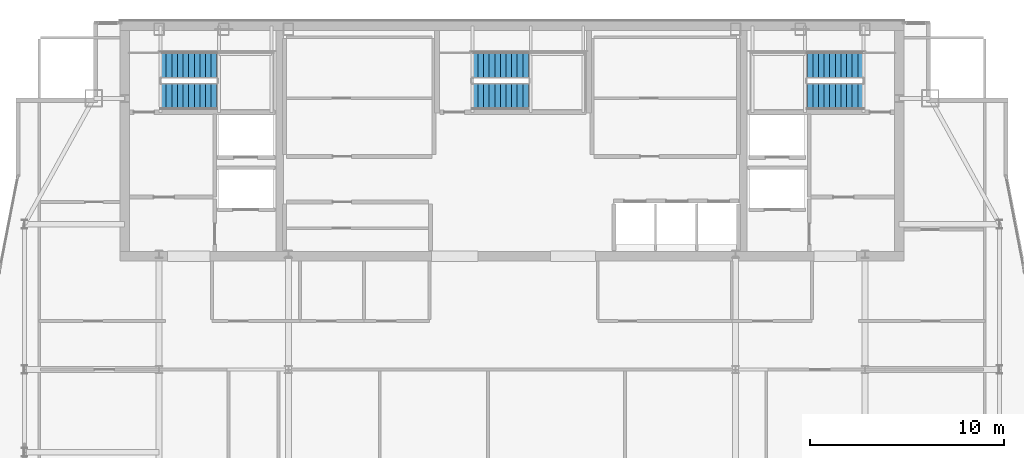
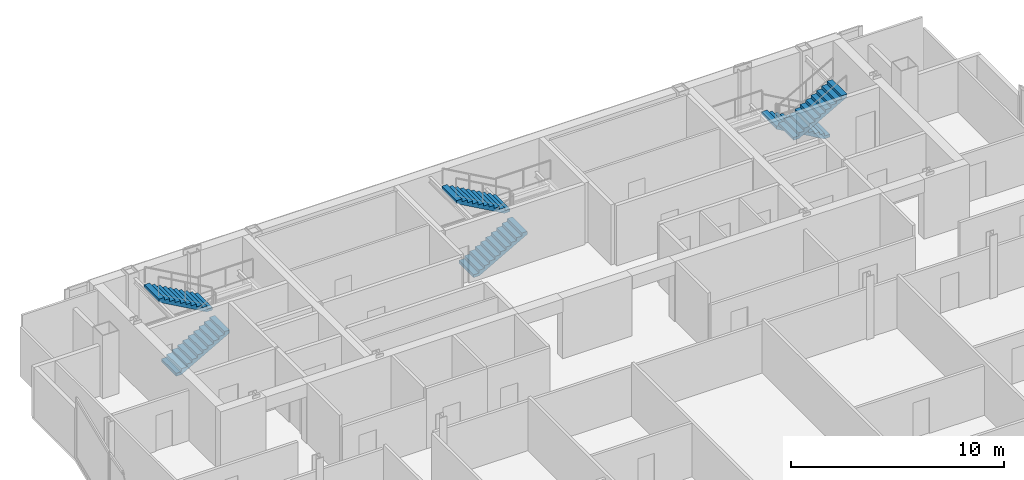
# One storey, part 25 of 27: 6 stair flights, 3 elements without a shape of their own.
"""IFC4 building model written with IfcOpenShell, lengths in metres."""

from ifc_helpers import new_model, si_unit, direction, frame, origin, place, context, subcontext, project, spatial, polyline, outline, extrude, material, type_object, element, aggregate, save


model = new_model("IFC4")

# Units and contexts
model_context = context("Model", 3, precision=1e-05, world=origin(), true_north=direction((0.0, 1.0)))
body_context = subcontext(model_context, "Body", "Model", "MODEL_VIEW")
ifc_project = project(units=[si_unit("LENGTHUNIT", "METRE"), si_unit("AREAUNIT", "SQUARE_METRE"), si_unit("VOLUMEUNIT", "CUBIC_METRE"), si_unit("PLANEANGLEUNIT", "RADIAN"), si_unit("MASSUNIT", "GRAM", prefix="KILO")], contexts=[model_context])

# Site, building, storey
site_placement = place(None, origin())
site = spatial("IfcSite", under=ifc_project, at=site_placement, CompositionType="ELEMENT")
building_placement = place(site_placement, origin())
building = spatial("IfcBuilding", under=site, at=building_placement, Name="Khoronbel Lancet Exchange", CompositionType="ELEMENT")
storey_placement = place(building_placement, frame((0.0, 0.0, 332.60009765625)))
storey = spatial("IfcBuildingStorey", under=building, at=storey_placement, Name="L86", CompositionType="ELEMENT", Elevation=332.60009765625)

# Stair, stair flights
ifc_material = material(Name="Concrete C40/50", Category="concrete")
stair_type = type_object("IfcStairType", Name="STR-CORE150", PredefinedType="HALF_TURN_STAIR", material=ifc_material)
stair_1_placement = place(storey_placement, origin())
stair_1 = element("IfcStair", 1, at=stair_1_placement, inside=storey, type_object=stair_type, Name="L86 Protected Exit Stair ST1", PredefinedType="HALF_TURN_STAIR")
stair_flight_type = type_object("IfcStairFlightType", Name="STF-150", PredefinedType="STRAIGHT", material=ifc_material)
stair_flight_1_placement = place(storey_placement, frame((18.300048828125, 49.81005859375, 0.0), z_axis=(0.0, 0.0, 1.0), x_axis=(1.0, 0.0, 0.0)))
stair_flight_1 = element("IfcStairFlight", 2, at=stair_flight_1_placement, type_object=stair_flight_type, Name="ST1 flight 1", NumberOfRisers=11, NumberOfTreads=10, PredefinedType="STRAIGHT", RiserHeight=0.163636364, TreadLength=0.29, context=body_context, shape_type="SweptSolid", body=[
    extrude(outline(polyline([(0.0, 0.0), (0.0, 0.16357421875), (0.2900390625, 0.16357421875), (0.2900390625, 0.327392578125), (0.580078125, 0.327392578125), (0.580078125, 0.490966796875), (0.8701171875, 0.490966796875), (0.8701171875, 0.654541015625), (1.159912109375, 0.654541015625), (1.159912109375, 0.818115234375), (1.449951171875, 0.818115234375), (1.449951171875, 0.98193359375), (1.739990234375, 0.98193359375), (1.739990234375, 1.1455078125), (2.030029296875, 1.1455078125), (2.030029296875, 1.30908203125), (2.320068359375, 1.30908203125), (2.320068359375, 1.47265625), (2.610107421875, 1.47265625), (2.610107421875, 1.636474609375), (2.89990234375, 1.636474609375), (2.89990234375, 1.800048828125), (2.89990234375, 1.46435546875), (0.304931640625, 0.0), (0.0, 0.0)])), frame((0.0, 0.68994140625, 0.0), z_axis=(0.0, -1.0, 0.0), x_axis=(1.0, 0.0, 0.0)), (0.0, 0.0, 1.0), 1.3798828125),
])
stair_flight_2_placement = place(storey_placement, frame((21.199951171875, 51.409912109375, 1.7998046875), z_axis=(0.0, 0.0, 1.0), x_axis=(-1.0, 0.0, 0.0)))
stair_flight_2 = element("IfcStairFlight", 3, at=stair_flight_2_placement, type_object=stair_flight_type, Name="ST1 flight 2", NumberOfRisers=11, NumberOfTreads=10, PredefinedType="STRAIGHT", RiserHeight=0.163636364, TreadLength=0.29, context=body_context, shape_type="SweptSolid", body=[
    extrude(outline(polyline([(0.0, 0.0), (0.0, 0.16357421875), (0.2900390625, 0.16357421875), (0.2900390625, 0.327392578125), (0.580078125, 0.327392578125), (0.580078125, 0.490966796875), (0.8701171875, 0.490966796875), (0.8701171875, 0.654541015625), (1.159912109375, 0.654541015625), (1.159912109375, 0.818115234375), (1.449951171875, 0.818115234375), (1.449951171875, 0.98193359375), (1.739990234375, 0.98193359375), (1.739990234375, 1.1455078125), (2.030029296875, 1.1455078125), (2.030029296875, 1.30908203125), (2.320068359375, 1.30908203125), (2.320068359375, 1.47265625), (2.610107421875, 1.47265625), (2.610107421875, 1.636474609375), (2.89990234375, 1.636474609375), (2.89990234375, 1.800048828125), (2.89990234375, 1.46435546875), (0.304931640625, 0.0), (0.0, 0.0)])), frame((0.0, 0.68994140625, 0.0), z_axis=(0.0, -1.0, 0.0), x_axis=(1.0, 0.0, 0.0)), (0.0, 0.0, 1.0), 1.3798828125),
])
aggregate(stair_1, [stair_flight_1, stair_flight_2])

stair_2_placement = place(storey_placement, origin())
stair_2 = element("IfcStair", 4, at=stair_2_placement, inside=storey, type_object=stair_type, Name="L86 Protected Exit Stair ST2", PredefinedType="HALF_TURN_STAIR")
stair_flight_3_placement = place(storey_placement, frame((54.60009765625, 51.409912109375, 0.0), z_axis=(0.0, 0.0, 1.0), x_axis=(-1.0, 0.0, 0.0)))
stair_flight_3 = element("IfcStairFlight", 5, at=stair_flight_3_placement, type_object=stair_flight_type, Name="ST2 flight 1", NumberOfRisers=11, NumberOfTreads=10, PredefinedType="STRAIGHT", RiserHeight=0.163636364, TreadLength=0.29, context=body_context, shape_type="SweptSolid", body=[
    extrude(outline(polyline([(0.0, 0.0), (0.0, 0.16357421875), (0.2900390625, 0.16357421875), (0.2900390625, 0.327392578125), (0.580078125, 0.327392578125), (0.580078125, 0.490966796875), (0.8701171875, 0.490966796875), (0.8701171875, 0.654541015625), (1.159912109375, 0.654541015625), (1.159912109375, 0.818115234375), (1.449951171875, 0.818115234375), (1.449951171875, 0.98193359375), (1.739990234375, 0.98193359375), (1.739990234375, 1.1455078125), (2.030029296875, 1.1455078125), (2.030029296875, 1.30908203125), (2.320068359375, 1.30908203125), (2.320068359375, 1.47265625), (2.610107421875, 1.47265625), (2.610107421875, 1.636474609375), (2.89990234375, 1.636474609375), (2.89990234375, 1.800048828125), (2.89990234375, 1.46435546875), (0.304931640625, 0.0), (0.0, 0.0)])), frame((0.0, 0.68994140625, 0.0), z_axis=(0.0, -1.0, 0.0), x_axis=(1.0, 0.0, 0.0)), (0.0, 0.0, 1.0), 1.3798828125),
])
stair_flight_4_placement = place(storey_placement, frame((51.699951171875, 49.81005859375, 1.7998046875), z_axis=(0.0, 0.0, 1.0), x_axis=(1.0, 0.0, 0.0)))
stair_flight_4 = element("IfcStairFlight", 6, at=stair_flight_4_placement, type_object=stair_flight_type, Name="ST2 flight 2", NumberOfRisers=11, NumberOfTreads=10, PredefinedType="STRAIGHT", RiserHeight=0.163636364, TreadLength=0.29, context=body_context, shape_type="SweptSolid", body=[
    extrude(outline(polyline([(0.0, 0.0), (0.0, 0.16357421875), (0.2900390625, 0.16357421875), (0.2900390625, 0.327392578125), (0.580078125, 0.327392578125), (0.580078125, 0.490966796875), (0.8701171875, 0.490966796875), (0.8701171875, 0.654541015625), (1.159912109375, 0.654541015625), (1.159912109375, 0.818115234375), (1.449951171875, 0.818115234375), (1.449951171875, 0.98193359375), (1.739990234375, 0.98193359375), (1.739990234375, 1.1455078125), (2.030029296875, 1.1455078125), (2.030029296875, 1.30908203125), (2.320068359375, 1.30908203125), (2.320068359375, 1.47265625), (2.610107421875, 1.47265625), (2.610107421875, 1.636474609375), (2.89990234375, 1.636474609375), (2.89990234375, 1.800048828125), (2.89990234375, 1.46435546875), (0.304931640625, 0.0), (0.0, 0.0)])), frame((0.0, 0.68994140625, 0.0), z_axis=(0.0, -1.0, 0.0), x_axis=(1.0, 0.0, 0.0)), (0.0, 0.0, 1.0), 1.3798828125),
])
aggregate(stair_2, [stair_flight_3, stair_flight_4])

stair_3_placement = place(storey_placement, origin())
stair_3 = element("IfcStair", 7, at=stair_3_placement, inside=storey, type_object=stair_type, Name="L86 Protected Exit Stair ST3", PredefinedType="HALF_TURN_STAIR")
stair_flight_5_placement = place(storey_placement, frame((34.39990234375, 49.81005859375, 0.0), z_axis=(0.0, 0.0, 1.0), x_axis=(1.0, 0.0, 0.0)))
stair_flight_5 = element("IfcStairFlight", 8, at=stair_flight_5_placement, type_object=stair_flight_type, Name="ST3 flight 1", NumberOfRisers=11, NumberOfTreads=10, PredefinedType="STRAIGHT", RiserHeight=0.163636364, TreadLength=0.29, context=body_context, shape_type="SweptSolid", body=[
    extrude(outline(polyline([(0.0, 0.0), (0.0, 0.16357421875), (0.2900390625, 0.16357421875), (0.2900390625, 0.327392578125), (0.580078125, 0.327392578125), (0.580078125, 0.490966796875), (0.8701171875, 0.490966796875), (0.8701171875, 0.654541015625), (1.159912109375, 0.654541015625), (1.159912109375, 0.818115234375), (1.449951171875, 0.818115234375), (1.449951171875, 0.98193359375), (1.739990234375, 0.98193359375), (1.739990234375, 1.1455078125), (2.030029296875, 1.1455078125), (2.030029296875, 1.30908203125), (2.320068359375, 1.30908203125), (2.320068359375, 1.47265625), (2.610107421875, 1.47265625), (2.610107421875, 1.636474609375), (2.89990234375, 1.636474609375), (2.89990234375, 1.800048828125), (2.89990234375, 1.46435546875), (0.304931640625, 0.0), (0.0, 0.0)])), frame((0.0, 0.68994140625, 0.0), z_axis=(0.0, -1.0, 0.0), x_axis=(1.0, 0.0, 0.0)), (0.0, 0.0, 1.0), 1.3798828125),
])
stair_flight_6_placement = place(storey_placement, frame((37.300048828125, 51.409912109375, 1.7998046875), z_axis=(0.0, 0.0, 1.0), x_axis=(-1.0, 0.0, 0.0)))
stair_flight_6 = element("IfcStairFlight", 9, at=stair_flight_6_placement, type_object=stair_flight_type, Name="ST3 flight 2", NumberOfRisers=11, NumberOfTreads=10, PredefinedType="STRAIGHT", RiserHeight=0.163636364, TreadLength=0.29, context=body_context, shape_type="SweptSolid", body=[
    extrude(outline(polyline([(0.0, 0.0), (0.0, 0.16357421875), (0.2900390625, 0.16357421875), (0.2900390625, 0.327392578125), (0.580078125, 0.327392578125), (0.580078125, 0.490966796875), (0.8701171875, 0.490966796875), (0.8701171875, 0.654541015625), (1.159912109375, 0.654541015625), (1.159912109375, 0.818115234375), (1.449951171875, 0.818115234375), (1.449951171875, 0.98193359375), (1.739990234375, 0.98193359375), (1.739990234375, 1.1455078125), (2.030029296875, 1.1455078125), (2.030029296875, 1.30908203125), (2.320068359375, 1.30908203125), (2.320068359375, 1.47265625), (2.610107421875, 1.47265625), (2.610107421875, 1.636474609375), (2.89990234375, 1.636474609375), (2.89990234375, 1.800048828125), (2.89990234375, 1.46435546875), (0.304931640625, 0.0), (0.0, 0.0)])), frame((0.0, 0.68994140625, 0.0), z_axis=(0.0, -1.0, 0.0), x_axis=(1.0, 0.0, 0.0)), (0.0, 0.0, 1.0), 1.3798828125),
])
aggregate(stair_3, [stair_flight_5, stair_flight_6])

save(model, "model.ifc")
